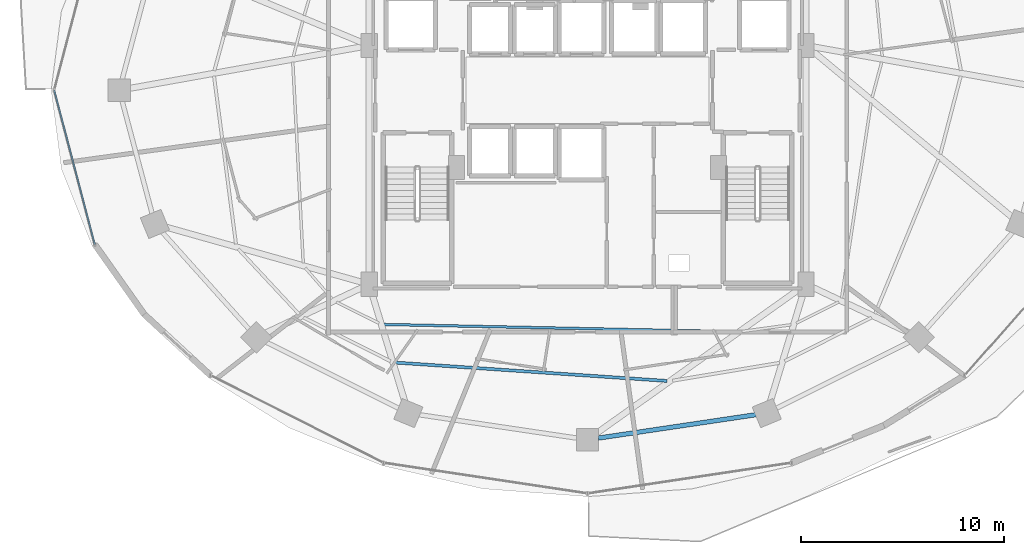
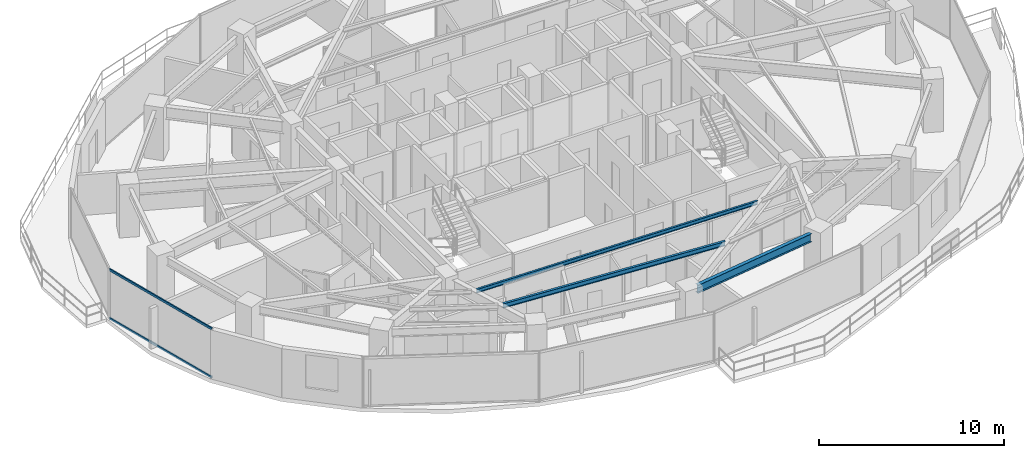
# One storey, part 5 of 30: 3 beams, 2 members, 1 element without a shape of its own.
"""IFC4 building model written with IfcOpenShell, lengths in metres."""

from ifc_helpers import new_model, si_unit, direction, frame, origin, origin_2d, place, context, subcontext, project, spatial, hollow_rectangle, i_section, extrude, material, material_profile, profile_set, type_object, element, aggregate, save


model = new_model("IFC4")

# Units and contexts
model_context = context("Model", 3, precision=1e-05, world=origin(), true_north=direction((0.0, 1.0)))
body_context = subcontext(model_context, "Body", "Model", "MODEL_VIEW")
ifc_project = project(units=[si_unit("LENGTHUNIT", "METRE"), si_unit("AREAUNIT", "SQUARE_METRE"), si_unit("VOLUMEUNIT", "CUBIC_METRE"), si_unit("PLANEANGLEUNIT", "RADIAN"), si_unit("MASSUNIT", "GRAM", prefix="KILO")], contexts=[model_context])

# Site, building, storey
site_placement = place(None, origin())
site = spatial("IfcSite", under=ifc_project, at=site_placement, CompositionType="ELEMENT")
building_placement = place(site_placement, origin())
building = spatial("IfcBuilding", under=site, at=building_placement, Name="Vorneva Point Tower", CompositionType="ELEMENT")
storey_placement = place(building_placement, frame((0.0, 0.0, 92.800048828125)))
storey = spatial("IfcBuildingStorey", under=building, at=storey_placement, Name="L24", CompositionType="ELEMENT", Elevation=92.800048828125)

# Beams
ifc_material_1 = material(Name="Steel S355", Category="steel")
ifc_material_profile_1 = material_profile(ifc_material_1, i_section(OverallWidth=0.1240234375, OverallDepth=0.248046875, WebThickness=0.0048828125, FlangeThickness=0.008056640625, at=origin_2d()), Name="25B1")
ifc_profile_set_1 = profile_set([ifc_material_profile_1], Name="Steel S355")
beam_type_1 = type_object("IfcBeamType", Name="BM-JST-25B1", PredefinedType="JOIST", material=ifc_profile_set_1)
beam_1_placement = place(storey_placement, frame((27.989013671875, 14.4716796875, 3.115966796875), z_axis=(0.99978665184, -0.020655527177, 0.0), x_axis=(0.020655527177, 0.99978665184, 0.0)))
element("IfcBeam", 1, at=beam_1_placement, inside=storey, type_object=beam_type_1, Name="L24 Secondary Floor Beam 2.12", PredefinedType="JOIST", context=body_context, shape_type="SweptSolid", body=[
    extrude(i_section(OverallWidth=0.1240234375, OverallDepth=0.248046875, WebThickness=0.0048828125, FlangeThickness=0.008056640625, at=origin_2d()), origin(), (0.0, 0.0, 1.0), 17.33935546875),
])
ifc_material_profile_2 = material_profile(ifc_material_1, i_section(OverallWidth=0.14892578125, OverallDepth=0.298095703125, WebThickness=0.005615234375, FlangeThickness=0.008056640625, at=origin_2d()), Name="30B1")
ifc_profile_set_2 = profile_set([ifc_material_profile_2], Name="Steel S355")
beam_type_2 = type_object("IfcBeamType", Name="BM-JST-30B1", PredefinedType="JOIST", material=ifc_profile_set_2)
beam_2_placement = place(storey_placement, frame((28.5576171875, 12.594970703125, 3.091064453125), z_axis=(0.997721682044, -0.067464399347, 0.0), x_axis=(0.067464399347, 0.997721682044, 0.0)))
element("IfcBeam", 2, at=beam_2_placement, inside=storey, type_object=beam_type_2, Name="L24 Secondary Floor Beam 1.12", PredefinedType="JOIST", context=body_context, shape_type="SweptSolid", body=[
    extrude(i_section(OverallWidth=0.14892578125, OverallDepth=0.298095703125, WebThickness=0.005615234375, FlangeThickness=0.008056640625, at=origin_2d()), origin(), (0.0, 0.0, 1.0), 13.385986328125),
])
ifc_material_profile_3 = material_profile(ifc_material_1, i_section(OverallWidth=0.219970703125, OverallDepth=0.54296875, WebThickness=0.009521484375, FlangeThickness=0.013427734375, at=origin_2d()), Name="55B1")
ifc_profile_set_3 = profile_set([ifc_material_profile_3], Name="Steel S355")
beam_type_3 = type_object("IfcBeamType", Name="BM-SPN-55B1", PredefinedType="SPANDREL", material=ifc_profile_set_3)
beam_3_placement = place(storey_placement, frame((38.529296875, 8.878662109375, 2.968505859375), z_axis=(0.989164507783, 0.146811363806, 0.0), x_axis=(-0.146811363806, 0.989164507783, 0.0)))
element("IfcBeam", 3, at=beam_3_placement, inside=storey, type_object=beam_type_3, Name="L24 Perimeter Spandrel Ring Beam 13", PredefinedType="SPANDREL", context=body_context, shape_type="SweptSolid", body=[
    extrude(i_section(OverallWidth=0.219970703125, OverallDepth=0.54296875, WebThickness=0.009521484375, FlangeThickness=0.013427734375, at=origin_2d()), origin(), (0.0, 0.0, 1.0), 7.847412109375),
])

# Curtain wall, members
ifc_material_2 = material(Name="Pale anodised aluminium", Category="aluminium")
curtain_wall_type = type_object("IfcCurtainWallType", Name="CW-HTL-SYS", PredefinedType="NOTDEFINED", material=ifc_material_2)
curtain_wall_placement = place(storey_placement, origin())
curtain_wall = element("IfcCurtainWall", 4, at=curtain_wall_placement, inside=storey, type_object=curtain_wall_type, Name="L24 Unitised Curtain Wall CW-L24-R03", PredefinedType="NOTDEFINED")
ifc_material_profile_4 = material_profile(ifc_material_2, hollow_rectangle(XDim=0.074951171875, YDim=0.14990234375, WallThickness=0.00390625, at=origin_2d()), Name="AL-TRN 150x75x4")
ifc_profile_set_4 = profile_set([ifc_material_profile_4], Name="Pale anodised aluminium")
member_type = type_object("IfcMemberType", Name="CW-TRN-150", PredefinedType="USERDEFINED", material=ifc_profile_set_4)
member_1_placement = place(storey_placement, frame((11.75, 26.0, 0.02001953125), z_axis=(0.254409150465, -0.967096677773, 0.0), x_axis=(0.967096677773, 0.254409150465, 0.0)))
member_1 = element("IfcMember", 5, at=member_1_placement, type_object=member_type, Name="CW-L24-R03 Transom 02.1", ObjectType="TRANSOM", PredefinedType="USERDEFINED", context=body_context, shape_type="SweptSolid", body=[
    extrude(hollow_rectangle(XDim=0.074951171875, YDim=0.14990234375, WallThickness=0.00390625, at=origin_2d()), origin(), (0.0, 0.0, 1.0), 7.854736328125),
])
member_2_placement = place(storey_placement, frame((11.75, 26.0, 3.219970703125), z_axis=(0.254409150465, -0.967096677773, 0.0), x_axis=(0.967096677773, 0.254409150465, 0.0)))
member_2 = element("IfcMember", 6, at=member_2_placement, type_object=member_type, Name="CW-L24-R03 Transom 02.2", ObjectType="TRANSOM", PredefinedType="USERDEFINED", context=body_context, shape_type="SweptSolid", body=[
    extrude(hollow_rectangle(XDim=0.074951171875, YDim=0.14990234375, WallThickness=0.00390625, at=origin_2d()), origin(), (0.0, 0.0, 1.0), 7.854736328125),
])
aggregate(curtain_wall, [member_1, member_2])

save(model, "model.ifc")
